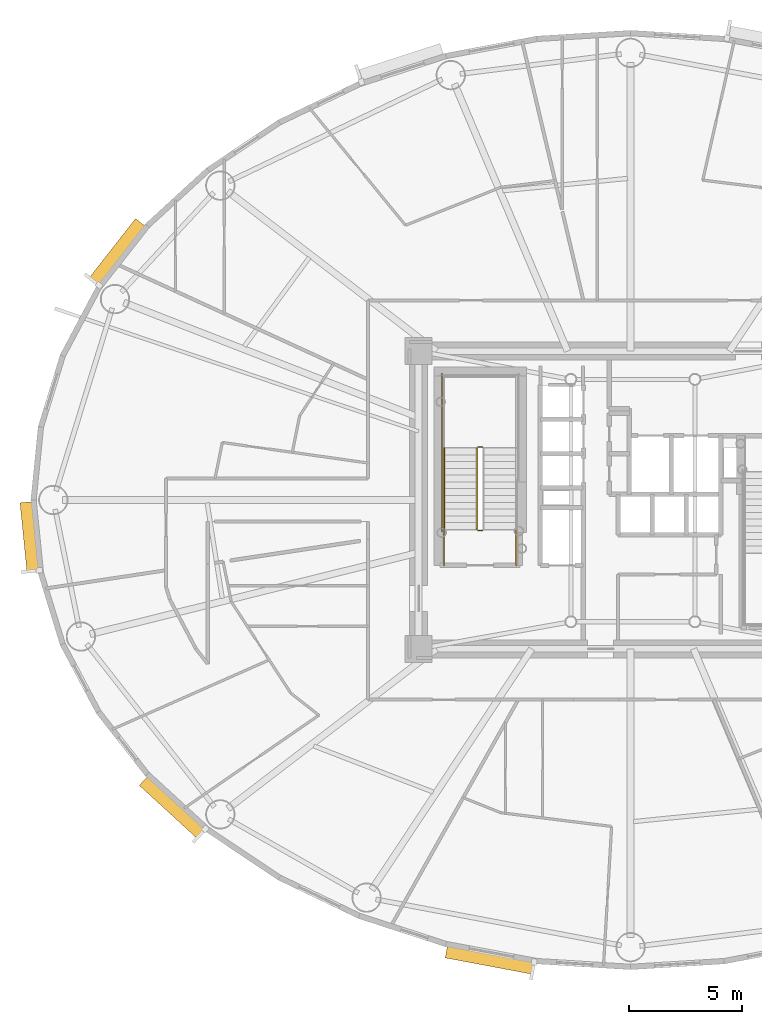
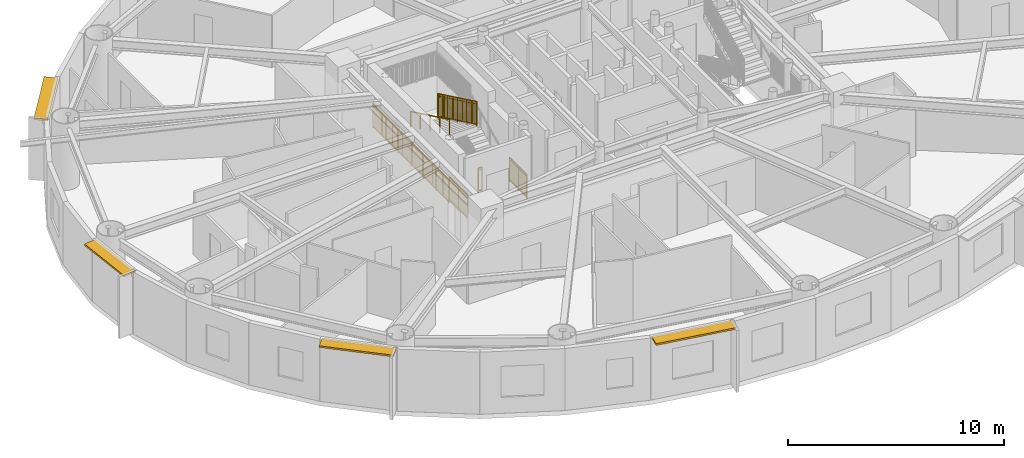
# One storey, part 12 of 18: 7 railings, 4 shading devices.
"""IFC4 building model written with IfcOpenShell, lengths in metres."""

from ifc_helpers import new_model, si_unit, direction, frame, origin, origin_2d, place, context, subcontext, project, spatial, rectangle, extrude, source, transform, mapped, material, layer, layer_set, type_object, element, save


model = new_model("IFC4")

# Units and contexts
model_context = context("Model", 3, precision=1e-05, world=origin(), true_north=direction((0.0, 1.0)))
body_context = subcontext(model_context, "Body", "Model", "MODEL_VIEW")
ifc_project = project(units=[si_unit("LENGTHUNIT", "METRE"), si_unit("AREAUNIT", "SQUARE_METRE"), si_unit("VOLUMEUNIT", "CUBIC_METRE"), si_unit("PLANEANGLEUNIT", "RADIAN"), si_unit("MASSUNIT", "GRAM", prefix="KILO")], contexts=[model_context])

# Site, building, storey
site_placement = place(None, origin())
site = spatial("IfcSite", under=ifc_project, at=site_placement, CompositionType="ELEMENT")
building_placement = place(site_placement, origin())
building = spatial("IfcBuilding", under=site, at=building_placement, Name="Linh Dai School and Residence Tower", CompositionType="ELEMENT")
storey_placement = place(building_placement, frame((0.0, 0.0, 159.89990234375)))
storey = spatial("IfcBuildingStorey", under=building, at=storey_placement, Name="L38", CompositionType="ELEMENT", Elevation=159.89990234375)

# Shading devices
ifc_material_1 = material(Name="Terracotta Ceramic Sunshade", Category="masonry")
ifc_layer = layer(ifc_material_1, 0.10009765625)
ifc_layer_set = layer_set([ifc_layer], Name="Terracotta Ceramic Sunshade")
shading_device_type = type_object("IfcShadingDeviceType", Name="SHD-TC-650", PredefinedType="USERDEFINED", material=ifc_layer_set)
shared_shape_1 = source(origin(), body_context, "Body", "SweptSolid", [
    extrude(rectangle(XDim=3.1201171875, YDim=0.64990234375, at=origin_2d()), origin(), (0.0, 0.0, 1.0), 0.10009765625),
])
shading_device_1_placement = place(storey_placement, frame((9.40380859375, 25.354736328125, 3.380126953125), z_axis=(0.0, 0.0, 1.0), x_axis=(-0.100001796141, 0.994987256586, 0.0)))
element("IfcShadingDevice", 1, at=shading_device_1_placement, inside=storey, type_object=shading_device_type, Name="L38 Terracotta Horizontal Sunshade Band 21", ObjectType="SUNSHADE", PredefinedType="USERDEFINED", context=body_context, shape_type="MappedRepresentation", body=[
    mapped(shared_shape_1, transform((0.0, 0.0, 0.0), x_axis=(1.0, 0.0, 0.0), y_axis=(0.0, 1.0, 0.0), z_axis=(0.0, 0.0, 1.0), scale=1.0)),
])
shared_shape_2 = source(origin(), body_context, "Body", "SweptSolid", [
    extrude(rectangle(XDim=3.51171875, YDim=0.64990234375, at=origin_2d()), origin(), (0.0, 0.0, 1.0), 0.10009765625),
])
shading_device_2_placement = place(storey_placement, frame((15.727294921875, 13.395263671875, 3.380126953125), z_axis=(0.0, 0.0, 1.0), x_axis=(-0.737085029426, 0.67580001435, 0.0)))
element("IfcShadingDevice", 2, at=shading_device_2_placement, inside=storey, type_object=shading_device_type, Name="L38 Terracotta Horizontal Sunshade Band 25", ObjectType="SUNSHADE", PredefinedType="USERDEFINED", context=body_context, shape_type="MappedRepresentation", body=[
    mapped(shared_shape_2, transform((0.0, 0.0, 0.0), x_axis=(1.0, 0.0, 0.0), y_axis=(0.0, 1.0, 0.0), z_axis=(0.0, 0.0, 1.0), scale=1.0)),
])
shared_shape_3 = source(origin(), body_context, "Body", "SweptSolid", [
    extrude(rectangle(XDim=3.949462890625, YDim=0.64990234375, at=origin_2d()), origin(), (0.0, 0.0, 1.0), 0.10009765625),
])
shading_device_3_placement = place(storey_placement, frame((29.780029296875, 6.650390625, 3.380126953125), z_axis=(0.0, 0.0, 1.0), x_axis=(-0.982783192645, 0.184762540184, 0.0)))
element("IfcShadingDevice", 3, at=shading_device_3_placement, inside=storey, type_object=shading_device_type, Name="L38 Terracotta Horizontal Sunshade Band 29", ObjectType="SUNSHADE", PredefinedType="USERDEFINED", context=body_context, shape_type="MappedRepresentation", body=[
    mapped(shared_shape_3, transform((0.0, 0.0, 0.0), x_axis=(1.0, 0.0, 0.0), y_axis=(0.0, 1.0, 0.0), z_axis=(0.0, 0.0, 1.0), scale=1.0)),
])
shared_shape_4 = source(origin(), body_context, "Body", "SweptSolid", [
    extrude(rectangle(XDim=3.376708984375, YDim=0.64990234375, at=origin_2d()), origin(), (0.0, 0.0, 1.0), 0.10009765625),
])
shading_device_4_placement = place(storey_placement, frame((13.263427734375, 37.94921875, 3.380126953125), z_axis=(0.0, 0.0, 1.0), x_axis=(0.616286337798, 0.787522158319, 0.0)))
element("IfcShadingDevice", 4, at=shading_device_4_placement, inside=storey, type_object=shading_device_type, Name="L38 Terracotta Horizontal Sunshade Band 17", ObjectType="SUNSHADE", PredefinedType="USERDEFINED", context=body_context, shape_type="MappedRepresentation", body=[
    mapped(shared_shape_4, transform((0.0, 0.0, 0.0), x_axis=(1.0, 0.0, 0.0), y_axis=(0.0, 1.0, 0.0), z_axis=(0.0, 0.0, 1.0), scale=1.0)),
])

# Railings
ifc_material_2 = material(Name="Structural Steel S355JR", Category="steel")
railing_type_1 = type_object("IfcRailingType", Name="RL-ST-GUARD-1400", PredefinedType="GUARDRAIL", material=ifc_material_2)
shared_shape_5 = source(origin(), body_context, "Body", "SweptSolid", [
    extrude(rectangle(XDim=0.048095703125, YDim=0.048095703125, at=origin_2d()), frame((0.0, 0.0, 1.3759765625), z_axis=(-1.0, 0.0, 0.0), x_axis=(0.0, -1.0, 0.0)), (0.0, 0.0, 1.0), 0.199951171875),
    extrude(rectangle(XDim=0.048095703125, YDim=0.048095703125, at=origin_2d()), frame((0.0, 0.0, 0.10009765625), z_axis=(-1.0, 0.0, 0.0), x_axis=(0.0, -1.0, 0.0)), (0.0, 0.0, 1.0), 0.199951171875),
    extrude(rectangle(XDim=0.030029296875, YDim=0.030029296875, at=origin_2d()), frame((0.0, 0.0, 1.239990234375), z_axis=(-1.0, 0.0, 0.0), x_axis=(0.0, -1.0, 0.0)), (0.0, 0.0, 1.0), 0.199951171875),
    extrude(rectangle(XDim=0.0419921875, YDim=0.0419921875, at=origin_2d()), origin(), (0.0, 0.0, 1.0), 1.3759765625),
    extrude(rectangle(XDim=0.0419921875, YDim=0.0419921875, at=origin_2d()), frame((-0.199951171875, 0.0, 0.0)), (0.0, 0.0, 1.0), 1.3759765625),
])
for number, where, name in (
    (5, (29.429931640625, 29.35009765625, 1.875), "L38 ST1 stair guard 2"),
    (6, (29.429931640625, 25.64990234375, 0.0), "L38 ST1 stair guard 7"),
):
    element("IfcRailing", number, at=place(storey_placement, frame(where)), inside=storey, type_object=railing_type_1, Name=name, PredefinedType="GUARDRAIL", context=body_context, shape_type="MappedRepresentation", body=[
        mapped(shared_shape_5, transform((0.0, 0.0, 0.0), x_axis=(1.0, 0.0, 0.0), y_axis=(0.0, 1.0, 0.0), z_axis=(0.0, 0.0, 1.0), scale=1.0)),
    ])
shared_shape_6 = source(origin(), body_context, "Body", "SweptSolid", [
    extrude(rectangle(XDim=0.048095703125, YDim=0.048095703125, at=origin_2d()), frame((0.0, 0.0, 1.3759765625), z_axis=(0.0, 1.0, 0.0), x_axis=(-1.0, 0.0, 0.0)), (0.0, 0.0, 1.0), 1.599853515625),
    extrude(rectangle(XDim=0.048095703125, YDim=0.048095703125, at=origin_2d()), frame((0.0, 0.0, 0.10009765625), z_axis=(0.0, 1.0, 0.0), x_axis=(-1.0, 0.0, 0.0)), (0.0, 0.0, 1.0), 1.599853515625),
    extrude(rectangle(XDim=0.030029296875, YDim=0.030029296875, at=origin_2d()), frame((0.0, 0.0, 1.239990234375), z_axis=(0.0, 1.0, 0.0), x_axis=(-1.0, 0.0, 0.0)), (0.0, 0.0, 1.0), 1.599853515625),
    extrude(rectangle(XDim=0.02001953125, YDim=0.02001953125, at=origin_2d()), frame((0.0, 0.093994140625, 0.10009765625)), (0.0, 0.0, 1.0), 1.251708984375),
    extrude(rectangle(XDim=0.02001953125, YDim=0.02001953125, at=origin_2d()), frame((0.0, 0.188232421875, 0.10009765625)), (0.0, 0.0, 1.0), 1.251708984375),
    extrude(rectangle(XDim=0.02001953125, YDim=0.02001953125, at=origin_2d()), frame((0.0, 0.2822265625, 0.10009765625)), (0.0, 0.0, 1.0), 1.251708984375),
    extrude(rectangle(XDim=0.02001953125, YDim=0.02001953125, at=origin_2d()), frame((0.0, 0.37646484375, 0.10009765625)), (0.0, 0.0, 1.0), 1.251708984375),
    extrude(rectangle(XDim=0.02001953125, YDim=0.02001953125, at=origin_2d()), frame((0.0, 0.470458984375, 0.10009765625)), (0.0, 0.0, 1.0), 1.251708984375),
    extrude(rectangle(XDim=0.02001953125, YDim=0.02001953125, at=origin_2d()), frame((0.0, 0.564697265625, 0.10009765625)), (0.0, 0.0, 1.0), 1.251708984375),
    extrude(rectangle(XDim=0.02001953125, YDim=0.02001953125, at=origin_2d()), frame((0.0, 0.65869140625, 0.10009765625)), (0.0, 0.0, 1.0), 1.251708984375),
    extrude(rectangle(XDim=0.02001953125, YDim=0.02001953125, at=origin_2d()), frame((0.0, 0.7529296875, 0.10009765625)), (0.0, 0.0, 1.0), 1.251708984375),
    extrude(rectangle(XDim=0.02001953125, YDim=0.02001953125, at=origin_2d()), frame((0.0, 0.846923828125, 0.10009765625)), (0.0, 0.0, 1.0), 1.251708984375),
    extrude(rectangle(XDim=0.02001953125, YDim=0.02001953125, at=origin_2d()), frame((0.0, 0.941162109375, 0.10009765625)), (0.0, 0.0, 1.0), 1.251708984375),
    extrude(rectangle(XDim=0.02001953125, YDim=0.02001953125, at=origin_2d()), frame((0.0, 1.03515625, 0.10009765625)), (0.0, 0.0, 1.0), 1.251708984375),
    extrude(rectangle(XDim=0.02001953125, YDim=0.02001953125, at=origin_2d()), frame((0.0, 1.12939453125, 0.10009765625)), (0.0, 0.0, 1.0), 1.251708984375),
    extrude(rectangle(XDim=0.02001953125, YDim=0.02001953125, at=origin_2d()), frame((0.0, 1.223388671875, 0.10009765625)), (0.0, 0.0, 1.0), 1.251708984375),
    extrude(rectangle(XDim=0.02001953125, YDim=0.02001953125, at=origin_2d()), frame((0.0, 1.317626953125, 0.10009765625)), (0.0, 0.0, 1.0), 1.251708984375),
    extrude(rectangle(XDim=0.02001953125, YDim=0.02001953125, at=origin_2d()), frame((0.0, 1.41162109375, 0.10009765625)), (0.0, 0.0, 1.0), 1.251708984375),
    extrude(rectangle(XDim=0.02001953125, YDim=0.02001953125, at=origin_2d()), frame((0.0, 1.505859375, 0.10009765625)), (0.0, 0.0, 1.0), 1.251708984375),
    extrude(rectangle(XDim=0.0419921875, YDim=0.0419921875, at=origin_2d()), origin(), (0.0, 0.0, 1.0), 1.3759765625),
    extrude(rectangle(XDim=0.0419921875, YDim=0.0419921875, at=origin_2d()), frame((0.0, 0.7998046875, 0.0)), (0.0, 0.0, 1.0), 1.3759765625),
    extrude(rectangle(XDim=0.0419921875, YDim=0.0419921875, at=origin_2d()), frame((0.0, 1.599853515625, 0.0)), (0.0, 0.0, 1.0), 1.3759765625),
])
for number, where, name in (
    (7, (30.929931640625, 24.10009765625, 0.0), "L38 ST1 stair guard 8"),
    (8, (27.72998046875, 24.10009765625, 0.0), "L38 ST1 stair guard 9"),
):
    element("IfcRailing", number, at=place(storey_placement, frame(where)), inside=storey, type_object=railing_type_1, Name=name, PredefinedType="GUARDRAIL", context=body_context, shape_type="MappedRepresentation", body=[
        mapped(shared_shape_6, transform((0.0, 0.0, 0.0), x_axis=(1.0, 0.0, 0.0), y_axis=(0.0, 1.0, 0.0), z_axis=(0.0, 0.0, 1.0), scale=1.0)),
    ])
shared_shape_7 = source(origin(), body_context, "Body", "SweptSolid", [
    extrude(rectangle(XDim=0.048095703125, YDim=0.048095703125, at=origin_2d()), frame((0.0, 0.0, 1.3759765625), z_axis=(0.0, 1.0, 0.0), x_axis=(-1.0, 0.0, 0.0)), (0.0, 0.0, 1.0), 7.0),
    extrude(rectangle(XDim=0.048095703125, YDim=0.048095703125, at=origin_2d()), frame((0.0, 0.0, 0.10009765625), z_axis=(0.0, 1.0, 0.0), x_axis=(-1.0, 0.0, 0.0)), (0.0, 0.0, 1.0), 7.0),
    extrude(rectangle(XDim=0.030029296875, YDim=0.030029296875, at=origin_2d()), frame((0.0, 0.0, 1.239990234375), z_axis=(0.0, 1.0, 0.0), x_axis=(-1.0, 0.0, 0.0)), (0.0, 0.0, 1.0), 7.0),
    extrude(rectangle(XDim=0.02001953125, YDim=0.02001953125, at=origin_2d()), frame((0.0, 0.09716796875, 0.10009765625)), (0.0, 0.0, 1.0), 1.251708984375),
    extrude(rectangle(XDim=0.02001953125, YDim=0.02001953125, at=origin_2d()), frame((0.0, 0.1943359375, 0.10009765625)), (0.0, 0.0, 1.0), 1.251708984375),
    extrude(rectangle(XDim=0.02001953125, YDim=0.02001953125, at=origin_2d()), frame((0.0, 0.291748046875, 0.10009765625)), (0.0, 0.0, 1.0), 1.251708984375),
    extrude(rectangle(XDim=0.02001953125, YDim=0.02001953125, at=origin_2d()), frame((0.0, 0.388916015625, 0.10009765625)), (0.0, 0.0, 1.0), 1.251708984375),
    extrude(rectangle(XDim=0.02001953125, YDim=0.02001953125, at=origin_2d()), frame((0.0, 0.486083984375, 0.10009765625)), (0.0, 0.0, 1.0), 1.251708984375),
    extrude(rectangle(XDim=0.02001953125, YDim=0.02001953125, at=origin_2d()), frame((0.0, 0.583251953125, 0.10009765625)), (0.0, 0.0, 1.0), 1.251708984375),
    extrude(rectangle(XDim=0.02001953125, YDim=0.02001953125, at=origin_2d()), frame((0.0, 0.6806640625, 0.10009765625)), (0.0, 0.0, 1.0), 1.251708984375),
    extrude(rectangle(XDim=0.02001953125, YDim=0.02001953125, at=origin_2d()), frame((0.0, 0.77783203125, 0.10009765625)), (0.0, 0.0, 1.0), 1.251708984375),
    extrude(rectangle(XDim=0.02001953125, YDim=0.02001953125, at=origin_2d()), frame((0.0, 0.875, 0.10009765625)), (0.0, 0.0, 1.0), 1.251708984375),
    extrude(rectangle(XDim=0.02001953125, YDim=0.02001953125, at=origin_2d()), frame((0.0, 0.97216796875, 0.10009765625)), (0.0, 0.0, 1.0), 1.251708984375),
    extrude(rectangle(XDim=0.02001953125, YDim=0.02001953125, at=origin_2d()), frame((0.0, 1.0693359375, 0.10009765625)), (0.0, 0.0, 1.0), 1.251708984375),
    extrude(rectangle(XDim=0.02001953125, YDim=0.02001953125, at=origin_2d()), frame((0.0, 1.263916015625, 0.10009765625)), (0.0, 0.0, 1.0), 1.251708984375),
    extrude(rectangle(XDim=0.02001953125, YDim=0.02001953125, at=origin_2d()), frame((0.0, 1.361083984375, 0.10009765625)), (0.0, 0.0, 1.0), 1.251708984375),
    extrude(rectangle(XDim=0.02001953125, YDim=0.02001953125, at=origin_2d()), frame((0.0, 1.458251953125, 0.10009765625)), (0.0, 0.0, 1.0), 1.251708984375),
    extrude(rectangle(XDim=0.02001953125, YDim=0.02001953125, at=origin_2d()), frame((0.0, 1.5556640625, 0.10009765625)), (0.0, 0.0, 1.0), 1.251708984375),
    extrude(rectangle(XDim=0.02001953125, YDim=0.02001953125, at=origin_2d()), frame((0.0, 1.65283203125, 0.10009765625)), (0.0, 0.0, 1.0), 1.251708984375),
    extrude(rectangle(XDim=0.02001953125, YDim=0.02001953125, at=origin_2d()), frame((0.0, 1.75, 0.10009765625)), (0.0, 0.0, 1.0), 1.251708984375),
    extrude(rectangle(XDim=0.02001953125, YDim=0.02001953125, at=origin_2d()), frame((0.0, 1.84716796875, 0.10009765625)), (0.0, 0.0, 1.0), 1.251708984375),
    extrude(rectangle(XDim=0.02001953125, YDim=0.02001953125, at=origin_2d()), frame((0.0, 1.9443359375, 0.10009765625)), (0.0, 0.0, 1.0), 1.251708984375),
    extrude(rectangle(XDim=0.02001953125, YDim=0.02001953125, at=origin_2d()), frame((0.0, 2.041748046875, 0.10009765625)), (0.0, 0.0, 1.0), 1.251708984375),
    extrude(rectangle(XDim=0.02001953125, YDim=0.02001953125, at=origin_2d()), frame((0.0, 2.138916015625, 0.10009765625)), (0.0, 0.0, 1.0), 1.251708984375),
    extrude(rectangle(XDim=0.02001953125, YDim=0.02001953125, at=origin_2d()), frame((0.0, 2.236083984375, 0.10009765625)), (0.0, 0.0, 1.0), 1.251708984375),
    extrude(rectangle(XDim=0.02001953125, YDim=0.02001953125, at=origin_2d()), frame((0.0, 2.4306640625, 0.10009765625)), (0.0, 0.0, 1.0), 1.251708984375),
    extrude(rectangle(XDim=0.02001953125, YDim=0.02001953125, at=origin_2d()), frame((0.0, 2.52783203125, 0.10009765625)), (0.0, 0.0, 1.0), 1.251708984375),
    extrude(rectangle(XDim=0.02001953125, YDim=0.02001953125, at=origin_2d()), frame((0.0, 2.625, 0.10009765625)), (0.0, 0.0, 1.0), 1.251708984375),
    extrude(rectangle(XDim=0.02001953125, YDim=0.02001953125, at=origin_2d()), frame((0.0, 2.72216796875, 0.10009765625)), (0.0, 0.0, 1.0), 1.251708984375),
    extrude(rectangle(XDim=0.02001953125, YDim=0.02001953125, at=origin_2d()), frame((0.0, 2.8193359375, 0.10009765625)), (0.0, 0.0, 1.0), 1.251708984375),
    extrude(rectangle(XDim=0.02001953125, YDim=0.02001953125, at=origin_2d()), frame((0.0, 2.916748046875, 0.10009765625)), (0.0, 0.0, 1.0), 1.251708984375),
    extrude(rectangle(XDim=0.02001953125, YDim=0.02001953125, at=origin_2d()), frame((0.0, 3.013916015625, 0.10009765625)), (0.0, 0.0, 1.0), 1.251708984375),
    extrude(rectangle(XDim=0.02001953125, YDim=0.02001953125, at=origin_2d()), frame((0.0, 3.111083984375, 0.10009765625)), (0.0, 0.0, 1.0), 1.251708984375),
    extrude(rectangle(XDim=0.02001953125, YDim=0.02001953125, at=origin_2d()), frame((0.0, 3.208251953125, 0.10009765625)), (0.0, 0.0, 1.0), 1.251708984375),
    extrude(rectangle(XDim=0.02001953125, YDim=0.02001953125, at=origin_2d()), frame((0.0, 3.3056640625, 0.10009765625)), (0.0, 0.0, 1.0), 1.251708984375),
    extrude(rectangle(XDim=0.02001953125, YDim=0.02001953125, at=origin_2d()), frame((0.0, 3.40283203125, 0.10009765625)), (0.0, 0.0, 1.0), 1.251708984375),
    extrude(rectangle(XDim=0.02001953125, YDim=0.02001953125, at=origin_2d()), frame((0.0, 3.59716796875, 0.10009765625)), (0.0, 0.0, 1.0), 1.251708984375),
    extrude(rectangle(XDim=0.02001953125, YDim=0.02001953125, at=origin_2d()), frame((0.0, 3.6943359375, 0.10009765625)), (0.0, 0.0, 1.0), 1.251708984375),
    extrude(rectangle(XDim=0.02001953125, YDim=0.02001953125, at=origin_2d()), frame((0.0, 3.791748046875, 0.10009765625)), (0.0, 0.0, 1.0), 1.251708984375),
    extrude(rectangle(XDim=0.02001953125, YDim=0.02001953125, at=origin_2d()), frame((0.0, 3.888916015625, 0.10009765625)), (0.0, 0.0, 1.0), 1.251708984375),
    extrude(rectangle(XDim=0.02001953125, YDim=0.02001953125, at=origin_2d()), frame((0.0, 3.986083984375, 0.10009765625)), (0.0, 0.0, 1.0), 1.251708984375),
    extrude(rectangle(XDim=0.02001953125, YDim=0.02001953125, at=origin_2d()), frame((0.0, 4.083251953125, 0.10009765625)), (0.0, 0.0, 1.0), 1.251708984375),
    extrude(rectangle(XDim=0.02001953125, YDim=0.02001953125, at=origin_2d()), frame((0.0, 4.1806640625, 0.10009765625)), (0.0, 0.0, 1.0), 1.251708984375),
    extrude(rectangle(XDim=0.02001953125, YDim=0.02001953125, at=origin_2d()), frame((0.0, 4.27783203125, 0.10009765625)), (0.0, 0.0, 1.0), 1.251708984375),
    extrude(rectangle(XDim=0.02001953125, YDim=0.02001953125, at=origin_2d()), frame((0.0, 4.375, 0.10009765625)), (0.0, 0.0, 1.0), 1.251708984375),
    extrude(rectangle(XDim=0.02001953125, YDim=0.02001953125, at=origin_2d()), frame((0.0, 4.47216796875, 0.10009765625)), (0.0, 0.0, 1.0), 1.251708984375),
    extrude(rectangle(XDim=0.02001953125, YDim=0.02001953125, at=origin_2d()), frame((0.0, 4.5693359375, 0.10009765625)), (0.0, 0.0, 1.0), 1.251708984375),
    extrude(rectangle(XDim=0.02001953125, YDim=0.02001953125, at=origin_2d()), frame((0.0, 4.763916015625, 0.10009765625)), (0.0, 0.0, 1.0), 1.251708984375),
    extrude(rectangle(XDim=0.02001953125, YDim=0.02001953125, at=origin_2d()), frame((0.0, 4.861083984375, 0.10009765625)), (0.0, 0.0, 1.0), 1.251708984375),
    extrude(rectangle(XDim=0.02001953125, YDim=0.02001953125, at=origin_2d()), frame((0.0, 4.958251953125, 0.10009765625)), (0.0, 0.0, 1.0), 1.251708984375),
    extrude(rectangle(XDim=0.02001953125, YDim=0.02001953125, at=origin_2d()), frame((0.0, 5.0556640625, 0.10009765625)), (0.0, 0.0, 1.0), 1.251708984375),
    extrude(rectangle(XDim=0.02001953125, YDim=0.02001953125, at=origin_2d()), frame((0.0, 5.15283203125, 0.10009765625)), (0.0, 0.0, 1.0), 1.251708984375),
    extrude(rectangle(XDim=0.02001953125, YDim=0.02001953125, at=origin_2d()), frame((0.0, 5.25, 0.10009765625)), (0.0, 0.0, 1.0), 1.251708984375),
    extrude(rectangle(XDim=0.02001953125, YDim=0.02001953125, at=origin_2d()), frame((0.0, 5.34716796875, 0.10009765625)), (0.0, 0.0, 1.0), 1.251708984375),
    extrude(rectangle(XDim=0.02001953125, YDim=0.02001953125, at=origin_2d()), frame((0.0, 5.4443359375, 0.10009765625)), (0.0, 0.0, 1.0), 1.251708984375),
    extrude(rectangle(XDim=0.02001953125, YDim=0.02001953125, at=origin_2d()), frame((0.0, 5.541748046875, 0.10009765625)), (0.0, 0.0, 1.0), 1.251708984375),
    extrude(rectangle(XDim=0.02001953125, YDim=0.02001953125, at=origin_2d()), frame((0.0, 5.638916015625, 0.10009765625)), (0.0, 0.0, 1.0), 1.251708984375),
    extrude(rectangle(XDim=0.02001953125, YDim=0.02001953125, at=origin_2d()), frame((0.0, 5.736083984375, 0.10009765625)), (0.0, 0.0, 1.0), 1.251708984375),
    extrude(rectangle(XDim=0.02001953125, YDim=0.02001953125, at=origin_2d()), frame((0.0, 5.9306640625, 0.10009765625)), (0.0, 0.0, 1.0), 1.251708984375),
    extrude(rectangle(XDim=0.02001953125, YDim=0.02001953125, at=origin_2d()), frame((0.0, 6.02783203125, 0.10009765625)), (0.0, 0.0, 1.0), 1.251708984375),
    extrude(rectangle(XDim=0.02001953125, YDim=0.02001953125, at=origin_2d()), frame((0.0, 6.125, 0.10009765625)), (0.0, 0.0, 1.0), 1.251708984375),
    extrude(rectangle(XDim=0.02001953125, YDim=0.02001953125, at=origin_2d()), frame((0.0, 6.22216796875, 0.10009765625)), (0.0, 0.0, 1.0), 1.251708984375),
    extrude(rectangle(XDim=0.02001953125, YDim=0.02001953125, at=origin_2d()), frame((0.0, 6.3193359375, 0.10009765625)), (0.0, 0.0, 1.0), 1.251708984375),
    extrude(rectangle(XDim=0.02001953125, YDim=0.02001953125, at=origin_2d()), frame((0.0, 6.416748046875, 0.10009765625)), (0.0, 0.0, 1.0), 1.251708984375),
    extrude(rectangle(XDim=0.02001953125, YDim=0.02001953125, at=origin_2d()), frame((0.0, 6.513916015625, 0.10009765625)), (0.0, 0.0, 1.0), 1.251708984375),
    extrude(rectangle(XDim=0.02001953125, YDim=0.02001953125, at=origin_2d()), frame((0.0, 6.611083984375, 0.10009765625)), (0.0, 0.0, 1.0), 1.251708984375),
    extrude(rectangle(XDim=0.02001953125, YDim=0.02001953125, at=origin_2d()), frame((0.0, 6.708251953125, 0.10009765625)), (0.0, 0.0, 1.0), 1.251708984375),
    extrude(rectangle(XDim=0.02001953125, YDim=0.02001953125, at=origin_2d()), frame((0.0, 6.8056640625, 0.10009765625)), (0.0, 0.0, 1.0), 1.251708984375),
    extrude(rectangle(XDim=0.02001953125, YDim=0.02001953125, at=origin_2d()), frame((0.0, 6.90283203125, 0.10009765625)), (0.0, 0.0, 1.0), 1.251708984375),
    extrude(rectangle(XDim=0.0419921875, YDim=0.0419921875, at=origin_2d()), origin(), (0.0, 0.0, 1.0), 1.3759765625),
    extrude(rectangle(XDim=0.0419921875, YDim=0.0419921875, at=origin_2d()), frame((0.0, 1.166748046875, 0.0)), (0.0, 0.0, 1.0), 1.3759765625),
    extrude(rectangle(XDim=0.0419921875, YDim=0.0419921875, at=origin_2d()), frame((0.0, 2.333251953125, 0.0)), (0.0, 0.0, 1.0), 1.3759765625),
    extrude(rectangle(XDim=0.0419921875, YDim=0.0419921875, at=origin_2d()), frame((0.0, 3.5, 0.0)), (0.0, 0.0, 1.0), 1.3759765625),
    extrude(rectangle(XDim=0.0419921875, YDim=0.0419921875, at=origin_2d()), frame((0.0, 4.666748046875, 0.0)), (0.0, 0.0, 1.0), 1.3759765625),
    extrude(rectangle(XDim=0.0419921875, YDim=0.0419921875, at=origin_2d()), frame((0.0, 5.833251953125, 0.0)), (0.0, 0.0, 1.0), 1.3759765625),
    extrude(rectangle(XDim=0.0419921875, YDim=0.0419921875, at=origin_2d()), frame((0.0, 7.0, 0.0)), (0.0, 0.0, 1.0), 1.3759765625),
])
railing_1_placement = place(storey_placement, frame((27.6298828125, 25.60009765625, 0.0)))
element("IfcRailing", 9, at=railing_1_placement, inside=storey, type_object=railing_type_1, Name="L38 ST1 stair guard 11", PredefinedType="GUARDRAIL", context=body_context, shape_type="MappedRepresentation", body=[
    mapped(shared_shape_7, transform((0.0, 0.0, 0.0), x_axis=(1.0, 0.0, 0.0), y_axis=(0.0, 1.0, 0.0), z_axis=(0.0, 0.0, 1.0), scale=1.0)),
])
shared_shape_8 = source(origin(), body_context, "Body", "SweptSolid", [
    extrude(rectangle(XDim=0.048095703125, YDim=0.048095703125, at=origin_2d()), frame((0.0, 0.0, 1.3759765625), z_axis=(0.0, -0.901262522062, 0.433273431364), x_axis=(1.0, 0.0, 0.0)), (0.0, 0.0, 1.0), 3.994384765625),
    extrude(rectangle(XDim=0.048095703125, YDim=0.048095703125, at=origin_2d()), frame((0.0, 0.0, 0.10009765625), z_axis=(0.0, -0.901262522062, 0.433273431364), x_axis=(1.0, 0.0, 0.0)), (0.0, 0.0, 1.0), 3.994384765625),
    extrude(rectangle(XDim=0.030029296875, YDim=0.030029296875, at=origin_2d()), frame((0.0, 0.0, 1.239990234375), z_axis=(0.0, -0.901262522062, 0.433273431364), x_axis=(1.0, 0.0, 0.0)), (0.0, 0.0, 1.0), 3.994384765625),
    extrude(rectangle(XDim=0.02001953125, YDim=0.02001953125, at=origin_2d()), frame((0.0, -0.087890625, 0.142333984375)), (0.0, 0.0, 1.0), 1.251708984375),
    extrude(rectangle(XDim=0.02001953125, YDim=0.02001953125, at=origin_2d()), frame((0.0, -0.175537109375, 0.1845703125)), (0.0, 0.0, 1.0), 1.251708984375),
    extrude(rectangle(XDim=0.02001953125, YDim=0.02001953125, at=origin_2d()), frame((0.0, -0.263427734375, 0.226806640625)), (0.0, 0.0, 1.0), 1.251708984375),
    extrude(rectangle(XDim=0.02001953125, YDim=0.02001953125, at=origin_2d()), frame((0.0, -0.351318359375, 0.26904296875)), (0.0, 0.0, 1.0), 1.251708984375),
    extrude(rectangle(XDim=0.02001953125, YDim=0.02001953125, at=origin_2d()), frame((0.0, -0.43896484375, 0.311279296875)), (0.0, 0.0, 1.0), 1.251708984375),
    extrude(rectangle(XDim=0.02001953125, YDim=0.02001953125, at=origin_2d()), frame((0.0, -0.52685546875, 0.353271484375)), (0.0, 0.0, 1.0), 1.251708984375),
    extrude(rectangle(XDim=0.02001953125, YDim=0.02001953125, at=origin_2d()), frame((0.0, -0.61474609375, 0.3955078125)), (0.0, 0.0, 1.0), 1.251708984375),
    extrude(rectangle(XDim=0.02001953125, YDim=0.02001953125, at=origin_2d()), frame((0.0, -0.702392578125, 0.437744140625)), (0.0, 0.0, 1.0), 1.251708984375),
    extrude(rectangle(XDim=0.02001953125, YDim=0.02001953125, at=origin_2d()), frame((0.0, -0.790283203125, 0.47998046875)), (0.0, 0.0, 1.0), 1.251708984375),
    extrude(rectangle(XDim=0.02001953125, YDim=0.02001953125, at=origin_2d()), frame((0.0, -0.9658203125, 0.564453125)), (0.0, 0.0, 1.0), 1.251708984375),
    extrude(rectangle(XDim=0.02001953125, YDim=0.02001953125, at=origin_2d()), frame((0.0, -1.0537109375, 0.606689453125)), (0.0, 0.0, 1.0), 1.251708984375),
    extrude(rectangle(XDim=0.02001953125, YDim=0.02001953125, at=origin_2d()), frame((0.0, -1.1416015625, 0.64892578125)), (0.0, 0.0, 1.0), 1.251708984375),
    extrude(rectangle(XDim=0.02001953125, YDim=0.02001953125, at=origin_2d()), frame((0.0, -1.229248046875, 0.691162109375)), (0.0, 0.0, 1.0), 1.251708984375),
    extrude(rectangle(XDim=0.02001953125, YDim=0.02001953125, at=origin_2d()), frame((0.0, -1.317138671875, 0.7333984375)), (0.0, 0.0, 1.0), 1.251708984375),
    extrude(rectangle(XDim=0.02001953125, YDim=0.02001953125, at=origin_2d()), frame((0.0, -1.405029296875, 0.775390625)), (0.0, 0.0, 1.0), 1.251708984375),
    extrude(rectangle(XDim=0.02001953125, YDim=0.02001953125, at=origin_2d()), frame((0.0, -1.49267578125, 0.817626953125)), (0.0, 0.0, 1.0), 1.251708984375),
    extrude(rectangle(XDim=0.02001953125, YDim=0.02001953125, at=origin_2d()), frame((0.0, -1.58056640625, 0.85986328125)), (0.0, 0.0, 1.0), 1.251708984375),
    extrude(rectangle(XDim=0.02001953125, YDim=0.02001953125, at=origin_2d()), frame((0.0, -1.66845703125, 0.902099609375)), (0.0, 0.0, 1.0), 1.251708984375),
    extrude(rectangle(XDim=0.02001953125, YDim=0.02001953125, at=origin_2d()), frame((0.0, -1.756103515625, 0.9443359375)), (0.0, 0.0, 1.0), 1.251708984375),
    extrude(rectangle(XDim=0.02001953125, YDim=0.02001953125, at=origin_2d()), frame((0.0, -1.843994140625, 0.986572265625)), (0.0, 0.0, 1.0), 1.251708984375),
    extrude(rectangle(XDim=0.02001953125, YDim=0.02001953125, at=origin_2d()), frame((0.0, -1.931640625, 1.02880859375)), (0.0, 0.0, 1.0), 1.251708984375),
    extrude(rectangle(XDim=0.02001953125, YDim=0.02001953125, at=origin_2d()), frame((0.0, -2.01953125, 1.071044921875)), (0.0, 0.0, 1.0), 1.251708984375),
    extrude(rectangle(XDim=0.02001953125, YDim=0.02001953125, at=origin_2d()), frame((0.0, -2.107421875, 1.11328125)), (0.0, 0.0, 1.0), 1.251708984375),
    extrude(rectangle(XDim=0.02001953125, YDim=0.02001953125, at=origin_2d()), frame((0.0, -2.195068359375, 1.155517578125)), (0.0, 0.0, 1.0), 1.251708984375),
    extrude(rectangle(XDim=0.02001953125, YDim=0.02001953125, at=origin_2d()), frame((0.0, -2.282958984375, 1.197509765625)), (0.0, 0.0, 1.0), 1.251708984375),
    extrude(rectangle(XDim=0.02001953125, YDim=0.02001953125, at=origin_2d()), frame((0.0, -2.370849609375, 1.23974609375)), (0.0, 0.0, 1.0), 1.251708984375),
    extrude(rectangle(XDim=0.02001953125, YDim=0.02001953125, at=origin_2d()), frame((0.0, -2.45849609375, 1.281982421875)), (0.0, 0.0, 1.0), 1.251708984375),
    extrude(rectangle(XDim=0.02001953125, YDim=0.02001953125, at=origin_2d()), frame((0.0, -2.54638671875, 1.32421875)), (0.0, 0.0, 1.0), 1.251708984375),
    extrude(rectangle(XDim=0.02001953125, YDim=0.02001953125, at=origin_2d()), frame((0.0, -2.63427734375, 1.366455078125)), (0.0, 0.0, 1.0), 1.251708984375),
    extrude(rectangle(XDim=0.02001953125, YDim=0.02001953125, at=origin_2d()), frame((0.0, -2.809814453125, 1.450927734375)), (0.0, 0.0, 1.0), 1.251708984375),
    extrude(rectangle(XDim=0.02001953125, YDim=0.02001953125, at=origin_2d()), frame((0.0, -2.897705078125, 1.4931640625)), (0.0, 0.0, 1.0), 1.251708984375),
    extrude(rectangle(XDim=0.02001953125, YDim=0.02001953125, at=origin_2d()), frame((0.0, -2.9853515625, 1.535400390625)), (0.0, 0.0, 1.0), 1.251708984375),
    extrude(rectangle(XDim=0.02001953125, YDim=0.02001953125, at=origin_2d()), frame((0.0, -3.0732421875, 1.57763671875)), (0.0, 0.0, 1.0), 1.251708984375),
    extrude(rectangle(XDim=0.02001953125, YDim=0.02001953125, at=origin_2d()), frame((0.0, -3.1611328125, 1.61962890625)), (0.0, 0.0, 1.0), 1.251708984375),
    extrude(rectangle(XDim=0.02001953125, YDim=0.02001953125, at=origin_2d()), frame((0.0, -3.248779296875, 1.661865234375)), (0.0, 0.0, 1.0), 1.251708984375),
    extrude(rectangle(XDim=0.02001953125, YDim=0.02001953125, at=origin_2d()), frame((0.0, -3.336669921875, 1.7041015625)), (0.0, 0.0, 1.0), 1.251708984375),
    extrude(rectangle(XDim=0.02001953125, YDim=0.02001953125, at=origin_2d()), frame((0.0, -3.424560546875, 1.746337890625)), (0.0, 0.0, 1.0), 1.251708984375),
    extrude(rectangle(XDim=0.02001953125, YDim=0.02001953125, at=origin_2d()), frame((0.0, -3.51220703125, 1.78857421875)), (0.0, 0.0, 1.0), 1.251708984375),
    extrude(rectangle(XDim=0.0419921875, YDim=0.0419921875, at=origin_2d()), origin(), (0.0, 0.0, 1.0), 1.3759765625),
    extrude(rectangle(XDim=0.0419921875, YDim=0.0419921875, at=origin_2d()), frame((0.0, -0.89990234375, 0.4326171875)), (0.0, 0.0, 1.0), 1.3759765625),
    extrude(rectangle(XDim=0.0419921875, YDim=0.0419921875, at=origin_2d()), frame((0.0, -1.800048828125, 0.865234375)), (0.0, 0.0, 1.0), 1.3759765625),
    extrude(rectangle(XDim=0.0419921875, YDim=0.0419921875, at=origin_2d()), frame((0.0, -2.7001953125, 1.298095703125)), (0.0, 0.0, 1.0), 1.3759765625),
    extrude(rectangle(XDim=0.0419921875, YDim=0.0419921875, at=origin_2d()), frame((0.0, -3.60009765625, 1.730712890625)), (0.0, 0.0, 1.0), 1.3759765625),
])
railing_2_placement = place(storey_placement, frame((29.179931640625, 29.300048828125, 2.019287109375)))
element("IfcRailing", 10, at=railing_2_placement, inside=storey, type_object=railing_type_1, Name="L38 ST1 stair guard 6", PredefinedType="GUARDRAIL", context=body_context, shape_type="MappedRepresentation", body=[
    mapped(shared_shape_8, transform((0.0, 0.0, 0.0), x_axis=(1.0, 0.0, 0.0), y_axis=(0.0, 1.0, 0.0), z_axis=(0.0, 0.0, 1.0), scale=1.0)),
])
ifc_material_3 = material(Name="Brushed Stainless Steel Handrail", Category="steel")
railing_type_2 = type_object("IfcRailingType", Name="RL-ST-HANDRAIL-900", PredefinedType="HANDRAIL", material=ifc_material_3)
shared_shape_9 = source(origin(), body_context, "Body", "SweptSolid", [
    extrude(rectangle(XDim=0.048095703125, YDim=0.048095703125, at=origin_2d()), frame((0.0, 0.0, 0.8759765625), z_axis=(0.0, -0.901262522062, 0.433273431364), x_axis=(1.0, 0.0, 0.0)), (0.0, 0.0, 1.0), 3.994384765625),
    extrude(rectangle(XDim=0.0419921875, YDim=0.0419921875, at=origin_2d()), origin(), (0.0, 0.0, 1.0), 0.8759765625),
    extrude(rectangle(XDim=0.0419921875, YDim=0.0419921875, at=origin_2d()), frame((0.0, -0.89990234375, 0.4326171875)), (0.0, 0.0, 1.0), 0.8759765625),
    extrude(rectangle(XDim=0.0419921875, YDim=0.0419921875, at=origin_2d()), frame((0.0, -1.800048828125, 0.865234375)), (0.0, 0.0, 1.0), 0.8759765625),
    extrude(rectangle(XDim=0.0419921875, YDim=0.0419921875, at=origin_2d()), frame((0.0, -2.7001953125, 1.298095703125)), (0.0, 0.0, 1.0), 0.8759765625),
    extrude(rectangle(XDim=0.0419921875, YDim=0.0419921875, at=origin_2d()), frame((0.0, -3.60009765625, 1.730712890625)), (0.0, 0.0, 1.0), 0.8759765625),
])
railing_3_placement = place(storey_placement, frame((27.72998046875, 29.300048828125, 2.019287109375)))
element("IfcRailing", 11, at=railing_3_placement, inside=storey, type_object=railing_type_2, Name="L38 ST1 stair handrail 2", PredefinedType="HANDRAIL", context=body_context, shape_type="MappedRepresentation", body=[
    mapped(shared_shape_9, transform((0.0, 0.0, 0.0), x_axis=(1.0, 0.0, 0.0), y_axis=(0.0, 1.0, 0.0), z_axis=(0.0, 0.0, 1.0), scale=1.0)),
])

save(model, "model.ifc")
